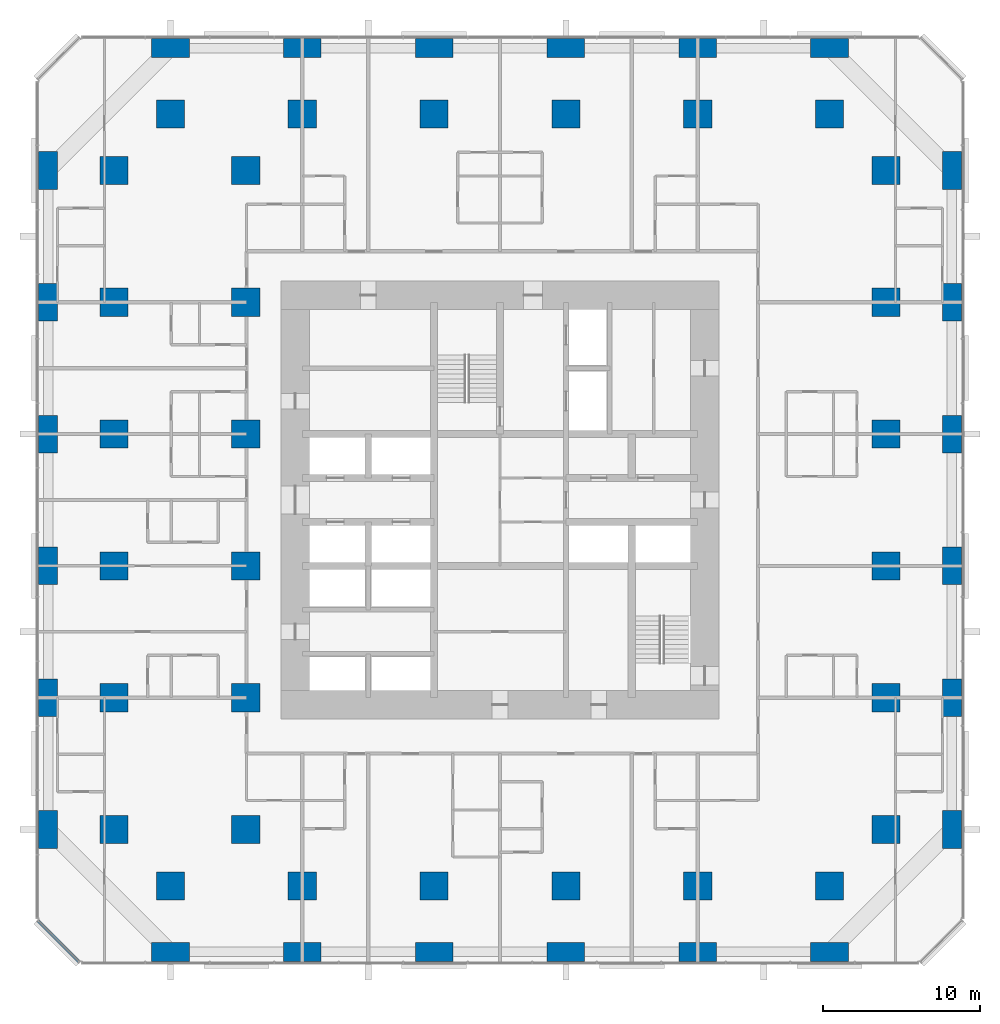
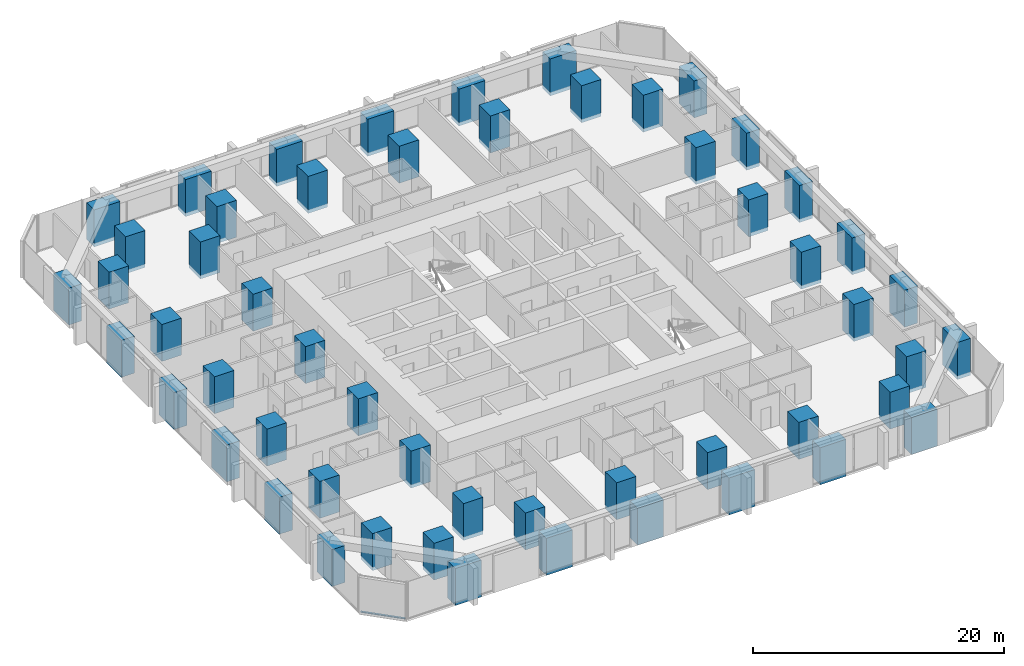
# One storey, part 1 of 17: 54 columns, 1 member, 1 element without a shape of its own.
"""IFC4 building model written with IfcOpenShell, lengths in metres."""

from ifc_helpers import new_model, si_unit, direction, frame, origin, origin_2d, place, context, subcontext, project, spatial, rectangle, extrude, material, material_profile, profile_set, type_object, element, aggregate, save


model = new_model("IFC4")

# Units and contexts
model_context = context("Model", 3, precision=1e-05, world=origin(), true_north=direction((0.0, 1.0)))
body_context = subcontext(model_context, "Body", "Model", "MODEL_VIEW")
ifc_project = project(units=[si_unit("LENGTHUNIT", "METRE"), si_unit("AREAUNIT", "SQUARE_METRE"), si_unit("VOLUMEUNIT", "CUBIC_METRE"), si_unit("PLANEANGLEUNIT", "RADIAN"), si_unit("MASSUNIT", "GRAM", prefix="KILO")], contexts=[model_context])

# Site, building, storey
site_placement = place(None, origin())
site = spatial("IfcSite", under=ifc_project, at=site_placement, CompositionType="ELEMENT")
building_placement = place(site_placement, origin())
building = spatial("IfcBuilding", under=site, at=building_placement, Name="Dunama Terrace Hotel", CompositionType="ELEMENT")
storey_placement = place(building_placement, frame((0.0, 0.0, 41.39990234375)))
storey = spatial("IfcBuildingStorey", under=building, at=storey_placement, Name="L09", CompositionType="ELEMENT", Elevation=41.39990234375)

# Columns
ifc_material_1 = material(Name="Concrete C60/75", Category="concrete")
ifc_material_profile_1 = material_profile(ifc_material_1, rectangle(XDim=1.199951171875, YDim=2.39990234375, at=origin_2d()), Name="RC 1200x2400")
ifc_profile_set_1 = profile_set([ifc_material_profile_1], Name="Concrete C60/75")
column_type_1 = type_object("IfcColumnType", Name="Column RC 1200x2400", PredefinedType="COLUMN", material=ifc_profile_set_1)
for number, where, z_axis, x_axis, name in (
    (1, (0.60009765625, 8.39990234375, -0.349853515625), (0.0, 0.0, 1.0), (1.0, 0.0, 0.0), "Column L09 +0.6/+8.4"),
    (2, (0.60009765625, 16.800048828125, -0.349853515625), (0.0, 0.0, 1.0), (1.0, 0.0, 0.0), "Column L09 +0.6/+16.8"),
    (3, (0.60009765625, 25.199951171875, -0.349853515625), (0.0, 0.0, 1.0), (1.0, 0.0, 0.0), "Column L09 +0.6/+25.2"),
    (4, (0.60009765625, 33.60009765625, -0.349853515625), (0.0, 0.0, 1.0), (1.0, 0.0, 0.0), "Column L09 +0.6/+33.6"),
    (5, (0.60009765625, 42.0, -0.349853515625), (0.0, 0.0, 1.0), (1.0, 0.0, 0.0), "Column L09 +0.6/+42.0"),
    (6, (0.60009765625, 50.39990234375, -0.349853515625), (0.0, 0.0, 1.0), (1.0, 0.0, 0.0), "Column L09 +0.6/+50.4"),
    (7, (58.199951171875, 8.39990234375, -0.349853515625), (0.0, 0.0, 1.0), (1.0, 0.0, 0.0), "Column L09 +58.2/+8.4"),
    (8, (58.199951171875, 16.800048828125, -0.349853515625), (0.0, 0.0, 1.0), (1.0, 0.0, 0.0), "Column L09 +58.2/+16.8"),
    (9, (58.199951171875, 25.199951171875, -0.349853515625), (0.0, 0.0, 1.0), (1.0, 0.0, 0.0), "Column L09 +58.2/+25.2"),
    (10, (58.199951171875, 33.60009765625, -0.349853515625), (0.0, 0.0, 1.0), (1.0, 0.0, 0.0), "Column L09 +58.2/+33.6"),
    (11, (58.199951171875, 42.0, -0.349853515625), (0.0, 0.0, 1.0), (1.0, 0.0, 0.0), "Column L09 +58.2/+42.0"),
    (12, (58.199951171875, 50.39990234375, -0.349853515625), (0.0, 0.0, 1.0), (1.0, 0.0, 0.0), "Column L09 +58.2/+50.4"),
):
    element("IfcColumn", number, at=place(storey_placement, frame(where, z_axis=z_axis, x_axis=x_axis)), inside=storey, type_object=column_type_1, Name=name, PredefinedType="COLUMN", context=body_context, shape_type="SweptSolid", body=[
        extrude(rectangle(XDim=1.199951171875, YDim=2.39990234375, at=origin_2d()), origin(), (0.0, 0.0, 1.0), 3.599853515625),
    ])
ifc_material_2 = material(Name="Concrete C60/75", Category="concrete")
ifc_material_profile_2 = material_profile(ifc_material_2, rectangle(XDim=1.800048828125, YDim=1.800048828125, at=origin_2d()), Name="RC 1800x1800")
ifc_profile_set_2 = profile_set([ifc_material_profile_2], Name="Concrete C60/75")
column_type_2 = type_object("IfcColumnType", Name="Column RC 1800x1800", PredefinedType="COLUMN", material=ifc_profile_set_2)
for number, where, z_axis, x_axis, name in (
    (13, (4.800048828125, 8.39990234375, -0.349853515625), (0.0, 0.0, 1.0), (1.0, 0.0, 0.0), "Column L09 +4.8/+8.4"),
    (14, (4.800048828125, 16.800048828125, -0.349853515625), (0.0, 0.0, 1.0), (1.0, 0.0, 0.0), "Column L09 +4.8/+16.8"),
    (15, (4.800048828125, 25.199951171875, -0.349853515625), (0.0, 0.0, 1.0), (1.0, 0.0, 0.0), "Column L09 +4.8/+25.2"),
    (16, (4.800048828125, 33.60009765625, -0.349853515625), (0.0, 0.0, 1.0), (1.0, 0.0, 0.0), "Column L09 +4.8/+33.6"),
    (17, (4.800048828125, 42.0, -0.349853515625), (0.0, 0.0, 1.0), (1.0, 0.0, 0.0), "Column L09 +4.8/+42.0"),
    (18, (4.800048828125, 50.39990234375, -0.349853515625), (0.0, 0.0, 1.0), (1.0, 0.0, 0.0), "Column L09 +4.8/+50.4"),
    (19, (8.39990234375, 4.800048828125, -0.349853515625), (0.0, 0.0, 1.0), (1.0, 0.0, 0.0), "Column L09 +8.4/+4.8"),
    (20, (8.39990234375, 54.0, -0.349853515625), (0.0, 0.0, 1.0), (1.0, 0.0, 0.0), "Column L09 +8.4/+54.0"),
    (21, (13.199951171875, 8.39990234375, -0.349853515625), (0.0, 0.0, 1.0), (1.0, 0.0, 0.0), "Column L09 +13.2/+8.4"),
    (22, (13.199951171875, 16.800048828125, -0.349853515625), (0.0, 0.0, 1.0), (1.0, 0.0, 0.0), "Column L09 +13.2/+16.8"),
    (23, (13.199951171875, 25.199951171875, -0.349853515625), (0.0, 0.0, 1.0), (1.0, 0.0, 0.0), "Column L09 +13.2/+25.2"),
    (24, (13.199951171875, 33.60009765625, -0.349853515625), (0.0, 0.0, 1.0), (1.0, 0.0, 0.0), "Column L09 +13.2/+33.6"),
    (25, (13.199951171875, 42.0, -0.349853515625), (0.0, 0.0, 1.0), (1.0, 0.0, 0.0), "Column L09 +13.2/+42.0"),
    (26, (13.199951171875, 50.39990234375, -0.349853515625), (0.0, 0.0, 1.0), (1.0, 0.0, 0.0), "Column L09 +13.2/+50.4"),
    (27, (16.800048828125, 4.800048828125, -0.349853515625), (0.0, 0.0, 1.0), (1.0, 0.0, 0.0), "Column L09 +16.8/+4.8"),
    (28, (16.800048828125, 54.0, -0.349853515625), (0.0, 0.0, 1.0), (1.0, 0.0, 0.0), "Column L09 +16.8/+54.0"),
    (29, (25.199951171875, 4.800048828125, -0.349853515625), (0.0, 0.0, 1.0), (1.0, 0.0, 0.0), "Column L09 +25.2/+4.8"),
    (30, (25.199951171875, 54.0, -0.349853515625), (0.0, 0.0, 1.0), (1.0, 0.0, 0.0), "Column L09 +25.2/+54.0"),
    (31, (33.60009765625, 4.800048828125, -0.349853515625), (0.0, 0.0, 1.0), (1.0, 0.0, 0.0), "Column L09 +33.6/+4.8"),
    (32, (33.60009765625, 54.0, -0.349853515625), (0.0, 0.0, 1.0), (1.0, 0.0, 0.0), "Column L09 +33.6/+54.0"),
    (33, (42.0, 4.800048828125, -0.349853515625), (0.0, 0.0, 1.0), (1.0, 0.0, 0.0), "Column L09 +42.0/+4.8"),
    (34, (42.0, 54.0, -0.349853515625), (0.0, 0.0, 1.0), (1.0, 0.0, 0.0), "Column L09 +42.0/+54.0"),
    (35, (50.39990234375, 4.800048828125, -0.349853515625), (0.0, 0.0, 1.0), (1.0, 0.0, 0.0), "Column L09 +50.4/+4.8"),
    (36, (50.39990234375, 54.0, -0.349853515625), (0.0, 0.0, 1.0), (1.0, 0.0, 0.0), "Column L09 +50.4/+54.0"),
    (37, (54.0, 8.39990234375, -0.349853515625), (0.0, 0.0, 1.0), (1.0, 0.0, 0.0), "Column L09 +54.0/+8.4"),
    (38, (54.0, 16.800048828125, -0.349853515625), (0.0, 0.0, 1.0), (1.0, 0.0, 0.0), "Column L09 +54.0/+16.8"),
    (39, (54.0, 25.199951171875, -0.349853515625), (0.0, 0.0, 1.0), (1.0, 0.0, 0.0), "Column L09 +54.0/+25.2"),
    (40, (54.0, 33.60009765625, -0.349853515625), (0.0, 0.0, 1.0), (1.0, 0.0, 0.0), "Column L09 +54.0/+33.6"),
    (41, (54.0, 42.0, -0.349853515625), (0.0, 0.0, 1.0), (1.0, 0.0, 0.0), "Column L09 +54.0/+42.0"),
    (42, (54.0, 50.39990234375, -0.349853515625), (0.0, 0.0, 1.0), (1.0, 0.0, 0.0), "Column L09 +54.0/+50.4"),
):
    element("IfcColumn", number, at=place(storey_placement, frame(where, z_axis=z_axis, x_axis=x_axis)), inside=storey, type_object=column_type_2, Name=name, PredefinedType="COLUMN", context=body_context, shape_type="SweptSolid", body=[
        extrude(rectangle(XDim=1.800048828125, YDim=1.800048828125, at=origin_2d()), origin(), (0.0, 0.0, 1.0), 3.599853515625),
    ])
ifc_material_3 = material(Name="Concrete C60/75", Category="concrete")
ifc_material_profile_3 = material_profile(ifc_material_3, rectangle(XDim=2.39990234375, YDim=1.199951171875, at=origin_2d()), Name="RC 2400x1200")
ifc_profile_set_3 = profile_set([ifc_material_profile_3], Name="Concrete C60/75")
column_type_3 = type_object("IfcColumnType", Name="Column RC 2400x1200", PredefinedType="COLUMN", material=ifc_profile_set_3)
for number, where, z_axis, x_axis, name in (
    (43, (8.39990234375, 0.60009765625, -0.349853515625), (0.0, 0.0, 1.0), (1.0, 0.0, 0.0), "Column L09 +8.4/+0.6"),
    (44, (8.39990234375, 58.199951171875, -0.349853515625), (0.0, 0.0, 1.0), (1.0, 0.0, 0.0), "Column L09 +8.4/+58.2"),
    (45, (16.800048828125, 0.60009765625, -0.349853515625), (0.0, 0.0, 1.0), (1.0, 0.0, 0.0), "Column L09 +16.8/+0.6"),
    (46, (16.800048828125, 58.199951171875, -0.349853515625), (0.0, 0.0, 1.0), (1.0, 0.0, 0.0), "Column L09 +16.8/+58.2"),
    (47, (25.199951171875, 0.60009765625, -0.349853515625), (0.0, 0.0, 1.0), (1.0, 0.0, 0.0), "Column L09 +25.2/+0.6"),
    (48, (25.199951171875, 58.199951171875, -0.349853515625), (0.0, 0.0, 1.0), (1.0, 0.0, 0.0), "Column L09 +25.2/+58.2"),
    (49, (33.60009765625, 0.60009765625, -0.349853515625), (0.0, 0.0, 1.0), (1.0, 0.0, 0.0), "Column L09 +33.6/+0.6"),
    (50, (33.60009765625, 58.199951171875, -0.349853515625), (0.0, 0.0, 1.0), (1.0, 0.0, 0.0), "Column L09 +33.6/+58.2"),
    (51, (42.0, 0.60009765625, -0.349853515625), (0.0, 0.0, 1.0), (1.0, 0.0, 0.0), "Column L09 +42.0/+0.6"),
    (52, (42.0, 58.199951171875, -0.349853515625), (0.0, 0.0, 1.0), (1.0, 0.0, 0.0), "Column L09 +42.0/+58.2"),
    (53, (50.39990234375, 0.60009765625, -0.349853515625), (0.0, 0.0, 1.0), (1.0, 0.0, 0.0), "Column L09 +50.4/+0.6"),
    (54, (50.39990234375, 58.199951171875, -0.349853515625), (0.0, 0.0, 1.0), (1.0, 0.0, 0.0), "Column L09 +50.4/+58.2"),
):
    element("IfcColumn", number, at=place(storey_placement, frame(where, z_axis=z_axis, x_axis=x_axis)), inside=storey, type_object=column_type_3, Name=name, PredefinedType="COLUMN", context=body_context, shape_type="SweptSolid", body=[
        extrude(rectangle(XDim=2.39990234375, YDim=1.199951171875, at=origin_2d()), origin(), (0.0, 0.0, 1.0), 3.599853515625),
    ])

# Curtain wall, member
ifc_material_4 = material(Name="Aluminium curtain wall system", Category="aluminium")
curtain_wall_type = type_object("IfcCurtainWallType", Name="Unitised fritted glass wall CW-A", PredefinedType="NOTDEFINED", material=ifc_material_4)
curtain_wall_placement = place(storey_placement, origin())
curtain_wall = element("IfcCurtainWall", 55, at=curtain_wall_placement, inside=storey, type_object=curtain_wall_type, Name="Unitised fritted glass wall CW-A L09", PredefinedType="NOTDEFINED")
ifc_material_5 = material(Name="Aluminium transom", Category="aluminium")
ifc_material_profile_4 = material_profile(ifc_material_5, rectangle(XDim=0.179931640625, YDim=0.074951171875, at=origin_2d()), Name="CWA TRANSOM 180X75")
ifc_profile_set_4 = profile_set([ifc_material_profile_4], Name="Aluminium transom")
member_type = type_object("IfcMemberType", Name="CWA transom 180x75", PredefinedType="USERDEFINED", material=ifc_profile_set_4)
member_placement = place(storey_placement, frame((-0.02490234375, 2.5830078125, 0.03759765625), z_axis=(0.707106781187, -0.707106781187, 0.0), x_axis=(0.707106781187, 0.707106781187, 0.0)))
member = element("IfcMember", 56, at=member_placement, type_object=member_type, Name="CWA transom", ObjectType="TRANSOM", PredefinedType="USERDEFINED", context=body_context, shape_type="SweptSolid", body=[
    extrude(rectangle(XDim=0.179931640625, YDim=0.074951171875, at=origin_2d()), origin(), (0.0, 0.0, 1.0), 3.688232421875),
])
aggregate(curtain_wall, [member])

save(model, "model.ifc")
